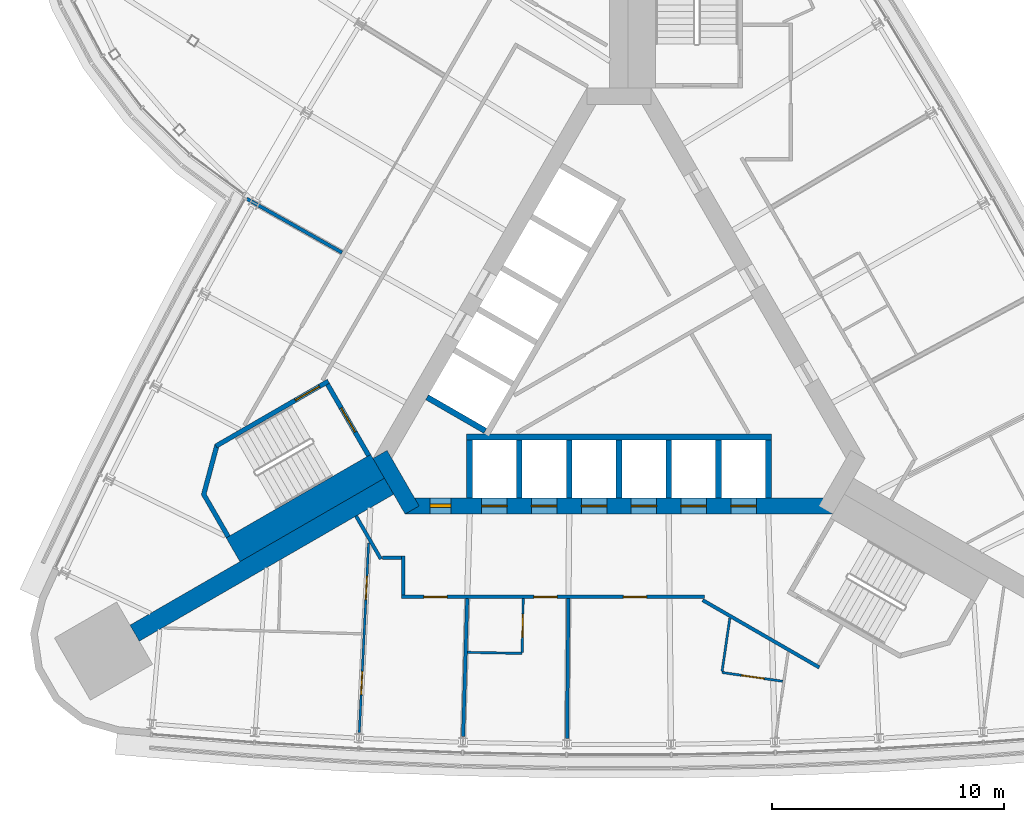
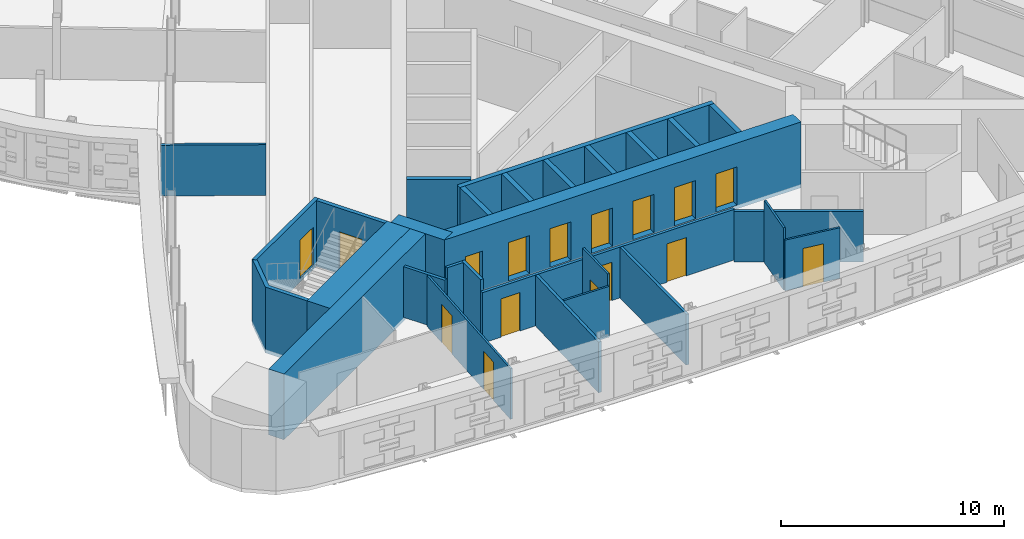
# One storey, part 11 of 17: 29 walls, 16 doors, 16 openings.
"""IFC4 building model written with IfcOpenShell, lengths in metres."""

from ifc_helpers import new_model, si_unit, direction, frame, frame_2d, origin, place, context, subcontext, project, spatial, polyline, rectangle, outline, extrude, material, layer, layer_set, type_object, element, fill, save


model = new_model("IFC4")

# Units and contexts
model_context = context("Model", 3, precision=1e-05, world=origin(), true_north=direction((0.0, 1.0)))
body_context = subcontext(model_context, "Body", "Model", "MODEL_VIEW")
ifc_project = project(units=[si_unit("LENGTHUNIT", "METRE"), si_unit("AREAUNIT", "SQUARE_METRE"), si_unit("VOLUMEUNIT", "CUBIC_METRE"), si_unit("PLANEANGLEUNIT", "RADIAN"), si_unit("MASSUNIT", "GRAM", prefix="KILO")], contexts=[model_context])

# Site, building, storey
site_placement = place(None, origin())
site = spatial("IfcSite", under=ifc_project, at=site_placement, CompositionType="ELEMENT")
building_placement = place(site_placement, origin())
building = spatial("IfcBuilding", under=site, at=building_placement, Name="Noor Cloister Tower", CompositionType="ELEMENT")
storey_placement = place(building_placement, frame((0.0, 0.0, 95.10009765625)))
storey = spatial("IfcBuildingStorey", under=building, at=storey_placement, Name="L24", CompositionType="ELEMENT", Elevation=95.10009765625)

# Wall
ifc_material_1 = material(Name="Concrete C80/95", Category="concrete")
ifc_layer_1 = layer(ifc_material_1, 0.800048828125)
ifc_layer_set_1 = layer_set([ifc_layer_1], Name="Buttress wall 800 C80/95")
wall_type_1 = type_object("IfcWallType", Name="Buttress wall 800 C80/95", PredefinedType="SHEAR", material=ifc_layer_set_1)
wall_1_placement = place(storey_placement, frame((-9.921630859375, -5.728271484375, -0.2001953125), z_axis=(0.0, 0.0, 1.0), x_axis=(-0.866029086277, -0.499993621681, 0.0)))
element("IfcWall", 1, at=wall_1_placement, inside=storey, type_object=wall_type_1, Name="Buttress wall SW L24", PredefinedType="SHEAR", context=body_context, shape_type="SweptSolid", body=[
    extrude(rectangle(XDim=12.677490234375, YDim=0.800048828125, at=frame_2d((6.3388671875, 0.0))), origin(), (0.0, 0.0, 1.0), 3.60009765625),
])

# Wall, openings, doors
ifc_material_2 = material(Name="Concrete C80/95", Category="concrete")
ifc_layer_2 = layer(ifc_material_2, 0.699951171875)
ifc_layer_set_2 = layer_set([ifc_layer_2], Name="Core wall 700 C80/95")
wall_type_2 = type_object("IfcWallType", Name="Core wall 700 C80/95", PredefinedType="SHEAR", material=ifc_layer_set_2)
wall_2_placement = place(storey_placement, frame((-9.228759765625, -6.578125, -0.2001953125), z_axis=(0.0, 0.0, 1.0), x_axis=(1.0, 0.0, 0.0)))
wall_2 = element("IfcWall", 2, at=wall_2_placement, inside=storey, type_object=wall_type_2, Name="Core wall L24 1", PredefinedType="SHEAR", context=body_context, shape_type="SweptSolid", body=[
    extrude(rectangle(XDim=18.45751953125, YDim=0.699951171875, at=frame_2d((9.228759765625, 0.0))), origin(), (0.0, 0.0, 1.0), 3.60009765625),
])
opening_1_placement = place(wall_2_placement, frame((3.3037109375, 0.0, 0.199951171875)))
opening_1 = element("IfcOpeningElement", 3, at=opening_1_placement, cuts=wall_2, Name="Opening L24-LR1", PredefinedType="OPENING", context=body_context, shape_type="SweptSolid", body=[
    extrude(rectangle(XDim=1.10009765625, YDim=2.10009765625, at=frame_2d((0.550048828125, 1.050048828125))), frame((0.0, 0.35986328125, 0.0), z_axis=(0.0, -1.0, 0.0), x_axis=(1.0, 0.0, 0.0)), (0.0, 0.0, 1.0), 0.719970703125),
])
opening_2_placement = place(wall_2_placement, frame((5.45361328125, 0.0, 0.199951171875)))
opening_2 = element("IfcOpeningElement", 4, at=opening_2_placement, cuts=wall_2, Name="Opening L24-LR2", PredefinedType="OPENING", context=body_context, shape_type="SweptSolid", body=[
    extrude(rectangle(XDim=1.10009765625, YDim=2.10009765625, at=frame_2d((0.550048828125, 1.050048828125))), frame((0.0, 0.35986328125, 0.0), z_axis=(0.0, -1.0, 0.0), x_axis=(1.0, 0.0, 0.0)), (0.0, 0.0, 1.0), 0.719970703125),
])
opening_3_placement = place(wall_2_placement, frame((7.603759765625, 0.0, 0.199951171875)))
opening_3 = element("IfcOpeningElement", 5, at=opening_3_placement, cuts=wall_2, Name="Opening L24-LR3", PredefinedType="OPENING", context=body_context, shape_type="SweptSolid", body=[
    extrude(rectangle(XDim=1.10009765625, YDim=2.10009765625, at=frame_2d((0.550048828125, 1.050048828125))), frame((0.0, 0.35986328125, 0.0), z_axis=(0.0, -1.0, 0.0), x_axis=(1.0, 0.0, 0.0)), (0.0, 0.0, 1.0), 0.719970703125),
])
opening_4_placement = place(wall_2_placement, frame((9.753662109375, 0.0, 0.199951171875)))
opening_4 = element("IfcOpeningElement", 6, at=opening_4_placement, cuts=wall_2, Name="Opening L24-LR4", PredefinedType="OPENING", context=body_context, shape_type="SweptSolid", body=[
    extrude(rectangle(XDim=1.10009765625, YDim=2.10009765625, at=frame_2d((0.550048828125, 1.050048828125))), frame((0.0, 0.35986328125, 0.0), z_axis=(0.0, -1.0, 0.0), x_axis=(1.0, 0.0, 0.0)), (0.0, 0.0, 1.0), 0.719970703125),
])
opening_5_placement = place(wall_2_placement, frame((11.90380859375, 0.0, 0.199951171875)))
opening_5 = element("IfcOpeningElement", 7, at=opening_5_placement, cuts=wall_2, Name="Opening L24-LR5", PredefinedType="OPENING", context=body_context, shape_type="SweptSolid", body=[
    extrude(rectangle(XDim=1.10009765625, YDim=2.10009765625, at=frame_2d((0.550048828125, 1.050048828125))), frame((0.0, 0.35986328125, 0.0), z_axis=(0.0, -1.0, 0.0), x_axis=(1.0, 0.0, 0.0)), (0.0, 0.0, 1.0), 0.719970703125),
])
opening_6_placement = place(wall_2_placement, frame((14.0537109375, 0.0, 0.199951171875)))
opening_6 = element("IfcOpeningElement", 8, at=opening_6_placement, cuts=wall_2, Name="Opening L24-LR6", PredefinedType="OPENING", context=body_context, shape_type="SweptSolid", body=[
    extrude(rectangle(XDim=1.10009765625, YDim=2.10009765625, at=frame_2d((0.550048828125, 1.050048828125))), frame((0.0, 0.35986328125, 0.0), z_axis=(0.0, -1.0, 0.0), x_axis=(1.0, 0.0, 0.0)), (0.0, 0.0, 1.0), 0.719970703125),
])
opening_7_placement = place(wall_2_placement, frame((1.078857421875, 0.0, 0.199951171875)))
opening_7 = element("IfcOpeningElement", 9, at=opening_7_placement, cuts=wall_2, Name="Opening L24-905", PredefinedType="OPENING", context=body_context, shape_type="SweptSolid", body=[
    extrude(rectangle(XDim=0.89990234375, YDim=2.10009765625, at=frame_2d((0.449951171875, 1.050048828125))), frame((0.0, 0.35986328125, 0.0), z_axis=(0.0, -1.0, 0.0), x_axis=(1.0, 0.0, 0.0)), (0.0, 0.0, 1.0), 0.719970703125),
])
ifc_material_3 = material(Name="Steel", Category="steel")
door_type_1 = type_object("IfcDoorType", Name="Core door 900 x 2100 FD120", OperationType="SINGLE_SWING_LEFT", PredefinedType="DOOR", material=ifc_material_3)
door_1_placement = place(opening_7_placement, origin())
door_1 = element("IfcDoor", 10, at=door_1_placement, inside=storey, type_object=door_type_1, Name="Core door 5 L24", OperationType="SINGLE_SWING_LEFT", OverallHeight=2.10009765625, OverallWidth=0.89990234375, PredefinedType="DOOR", context=body_context, shape_type="SweptSolid", body=[
    extrude(rectangle(XDim=0.89990234375, YDim=2.10009765625, at=frame_2d((0.449951171875, 1.050048828125))), frame((0.0, 0.074951171875, 0.0), z_axis=(0.0, -1.0, 0.0), x_axis=(1.0, 0.0, 0.0)), (0.0, 0.0, 1.0), 0.14990234375),
])
fill(opening_7, door_1)
ifc_material_4 = material(Name="Stainless steel", Category="steel")
door_type_2 = type_object("IfcDoorType", Name="Lift landing door 1100 x 2100", OperationType="DOUBLE_DOOR_SLIDING", PredefinedType="DOOR", material=ifc_material_4)
door_2_placement = place(opening_1_placement, origin())
door_2 = element("IfcDoor", 11, at=door_2_placement, inside=storey, type_object=door_type_2, Name="Landing door LR1 L24", OperationType="DOUBLE_DOOR_SLIDING", OverallHeight=2.10009765625, OverallWidth=1.10009765625, PredefinedType="DOOR", context=body_context, shape_type="SweptSolid", body=[
    extrude(rectangle(XDim=1.10009765625, YDim=2.10009765625, at=frame_2d((0.550048828125, 1.050048828125))), frame((0.0, 0.02490234375, 0.0), z_axis=(0.0, -1.0, 0.0), x_axis=(1.0, 0.0, 0.0)), (0.0, 0.0, 1.0), 0.050048828125),
])
fill(opening_1, door_2)
door_3_placement = place(opening_2_placement, origin())
door_3 = element("IfcDoor", 12, at=door_3_placement, inside=storey, type_object=door_type_2, Name="Landing door LR2 L24", OperationType="DOUBLE_DOOR_SLIDING", OverallHeight=2.10009765625, OverallWidth=1.10009765625, PredefinedType="DOOR", context=body_context, shape_type="SweptSolid", body=[
    extrude(rectangle(XDim=1.10009765625, YDim=2.10009765625, at=frame_2d((0.550048828125, 1.050048828125))), frame((0.0, 0.02490234375, 0.0), z_axis=(0.0, -1.0, 0.0), x_axis=(1.0, 0.0, 0.0)), (0.0, 0.0, 1.0), 0.050048828125),
])
fill(opening_2, door_3)
door_4_placement = place(opening_3_placement, origin())
door_4 = element("IfcDoor", 13, at=door_4_placement, inside=storey, type_object=door_type_2, Name="Landing door LR3 L24", OperationType="DOUBLE_DOOR_SLIDING", OverallHeight=2.10009765625, OverallWidth=1.10009765625, PredefinedType="DOOR", context=body_context, shape_type="SweptSolid", body=[
    extrude(rectangle(XDim=1.10009765625, YDim=2.10009765625, at=frame_2d((0.550048828125, 1.050048828125))), frame((0.0, 0.02490234375, 0.0), z_axis=(0.0, -1.0, 0.0), x_axis=(1.0, 0.0, 0.0)), (0.0, 0.0, 1.0), 0.050048828125),
])
fill(opening_3, door_4)
door_5_placement = place(opening_4_placement, origin())
door_5 = element("IfcDoor", 14, at=door_5_placement, inside=storey, type_object=door_type_2, Name="Landing door LR4 L24", OperationType="DOUBLE_DOOR_SLIDING", OverallHeight=2.10009765625, OverallWidth=1.10009765625, PredefinedType="DOOR", context=body_context, shape_type="SweptSolid", body=[
    extrude(rectangle(XDim=1.10009765625, YDim=2.10009765625, at=frame_2d((0.550048828125, 1.050048828125))), frame((0.0, 0.02490234375, 0.0), z_axis=(0.0, -1.0, 0.0), x_axis=(1.0, 0.0, 0.0)), (0.0, 0.0, 1.0), 0.050048828125),
])
fill(opening_4, door_5)
door_6_placement = place(opening_5_placement, origin())
door_6 = element("IfcDoor", 15, at=door_6_placement, inside=storey, type_object=door_type_2, Name="Landing door LR5 L24", OperationType="DOUBLE_DOOR_SLIDING", OverallHeight=2.10009765625, OverallWidth=1.10009765625, PredefinedType="DOOR", context=body_context, shape_type="SweptSolid", body=[
    extrude(rectangle(XDim=1.10009765625, YDim=2.10009765625, at=frame_2d((0.550048828125, 1.050048828125))), frame((0.0, 0.02490234375, 0.0), z_axis=(0.0, -1.0, 0.0), x_axis=(1.0, 0.0, 0.0)), (0.0, 0.0, 1.0), 0.050048828125),
])
fill(opening_5, door_6)
door_7_placement = place(opening_6_placement, origin())
door_7 = element("IfcDoor", 16, at=door_7_placement, inside=storey, type_object=door_type_2, Name="Landing door LR6 L24", OperationType="DOUBLE_DOOR_SLIDING", OverallHeight=2.10009765625, OverallWidth=1.10009765625, PredefinedType="DOOR", context=body_context, shape_type="SweptSolid", body=[
    extrude(rectangle(XDim=1.10009765625, YDim=2.10009765625, at=frame_2d((0.550048828125, 1.050048828125))), frame((0.0, 0.02490234375, 0.0), z_axis=(0.0, -1.0, 0.0), x_axis=(1.0, 0.0, 0.0)), (0.0, 0.0, 1.0), 0.050048828125),
])
fill(opening_6, door_7)

# Wall
wall_3_placement = place(storey_placement, frame((-10.311279296875, -4.353271484375, -0.2001953125), z_axis=(0.0, 0.0, 1.0), x_axis=(0.500042739161, -0.866000726912, 0.0)))
element("IfcWall", 17, at=wall_3_placement, inside=storey, type_object=wall_type_2, Name="Core wall L24 6", PredefinedType="SHEAR", context=body_context, shape_type="SweptSolid", body=[
    extrude(rectangle(XDim=2.771240234375, YDim=0.699951171875, at=frame_2d((1.3857421875, 0.0))), origin(), (0.0, 0.0, 1.0), 3.60009765625),
])

# Wall, openings, doors
ifc_material_5 = material(Name="Gypsum board partition on steel studs, 150 mm", Category="steel")
ifc_layer_3 = layer(ifc_material_5, 0.14990234375)
ifc_layer_set_3 = layer_set([ifc_layer_3], Name="Flat wall 150")
wall_type_3 = type_object("IfcWallType", Name="Flat wall 150", PredefinedType="PARTITIONING", material=ifc_layer_set_3)
wall_4_placement = place(storey_placement, frame((3.68896484375, -10.503173828125, 0.0), z_axis=(0.0, 0.0, 1.0), x_axis=(-1.0, 0.0, 0.0)))
wall_4 = element("IfcWall", 18, at=wall_4_placement, inside=storey, type_object=wall_type_3, Name="Flat wall 150 L24 004", PredefinedType="PARTITIONING", context=body_context, shape_type="SweptSolid", body=[
    extrude(rectangle(XDim=13.067626953125, YDim=0.14990234375, at=frame_2d((6.53369140625, 0.0))), origin(), (0.0, 0.0, 1.0), 2.77783203125),
])
opening_8_placement = place(wall_4_placement, frame((11.1064453125, 0.0, 0.0)))
opening_8 = element("IfcOpeningElement", 19, at=opening_8_placement, cuts=wall_4, Name="Opening L24-008", PredefinedType="OPENING", context=body_context, shape_type="SweptSolid", body=[
    extrude(rectangle(XDim=1.0, YDim=2.10009765625, at=frame_2d((0.5, 1.050048828125))), frame((0.0, 0.0849609375, 0.0), z_axis=(0.0, -1.0, 0.0), x_axis=(1.0, 0.0, 0.0)), (0.0, 0.0, 1.0), 0.169921875),
])
opening_9_placement = place(wall_4_placement, frame((6.359130859375, 0.0, 0.0)))
opening_9 = element("IfcOpeningElement", 20, at=opening_9_placement, cuts=wall_4, Name="Opening L24-009", PredefinedType="OPENING", context=body_context, shape_type="SweptSolid", body=[
    extrude(rectangle(XDim=1.0, YDim=2.10009765625, at=frame_2d((0.5, 1.050048828125))), frame((0.0, 0.0849609375, 0.0), z_axis=(0.0, -1.0, 0.0), x_axis=(1.0, 0.0, 0.0)), (0.0, 0.0, 1.0), 0.169921875),
])
opening_10_placement = place(wall_4_placement, frame((2.500732421875, 0.0, 0.0)))
opening_10 = element("IfcOpeningElement", 21, at=opening_10_placement, cuts=wall_4, Name="Opening L24-010", PredefinedType="OPENING", context=body_context, shape_type="SweptSolid", body=[
    extrude(rectangle(XDim=1.0, YDim=2.10009765625, at=frame_2d((0.5, 1.050048828125))), frame((0.0, 0.0849609375, 0.0), z_axis=(0.0, -1.0, 0.0), x_axis=(1.0, 0.0, 0.0)), (0.0, 0.0, 1.0), 0.169921875),
])
ifc_material_6 = material(Name="Timber door leaf with steel frame", Category="steel")
door_type_3 = type_object("IfcDoorType", Name="Flat entrance door 1000 FD60S", OperationType="NOTDEFINED", PredefinedType="DOOR", material=ifc_material_6)
door_8_placement = place(opening_8_placement, origin())
door_8 = element("IfcDoor", 22, at=door_8_placement, inside=storey, type_object=door_type_3, Name="Flat entrance door 1000 L24-008", OperationType="SINGLE_SWING_RIGHT", OverallHeight=2.10009765625, OverallWidth=1.0, PredefinedType="DOOR", context=body_context, shape_type="SweptSolid", body=[
    extrude(rectangle(XDim=1.0, YDim=2.10009765625, at=frame_2d((0.5, 1.050048828125))), frame((0.0, 0.02490234375, 0.0), z_axis=(0.0, -1.0, 0.0), x_axis=(1.0, 0.0, 0.0)), (0.0, 0.0, 1.0), 0.050048828125),
])
fill(opening_8, door_8)
door_9_placement = place(opening_9_placement, origin())
door_9 = element("IfcDoor", 23, at=door_9_placement, inside=storey, type_object=door_type_3, Name="Flat entrance door 1000 L24-009", OperationType="SINGLE_SWING_RIGHT", OverallHeight=2.10009765625, OverallWidth=1.0, PredefinedType="DOOR", context=body_context, shape_type="SweptSolid", body=[
    extrude(rectangle(XDim=1.0, YDim=2.10009765625, at=frame_2d((0.5, 1.050048828125))), frame((0.0, 0.02490234375, 0.0), z_axis=(0.0, -1.0, 0.0), x_axis=(1.0, 0.0, 0.0)), (0.0, 0.0, 1.0), 0.050048828125),
])
fill(opening_9, door_9)
door_10_placement = place(opening_10_placement, origin())
door_10 = element("IfcDoor", 24, at=door_10_placement, inside=storey, type_object=door_type_3, Name="Flat entrance door 1000 L24-010", OperationType="SINGLE_SWING_LEFT", OverallHeight=2.10009765625, OverallWidth=1.0, PredefinedType="DOOR", context=body_context, shape_type="SweptSolid", body=[
    extrude(rectangle(XDim=1.0, YDim=2.10009765625, at=frame_2d((0.5, 1.050048828125))), frame((0.0, 0.02490234375, 0.0), z_axis=(0.0, -1.0, 0.0), x_axis=(1.0, 0.0, 0.0)), (0.0, 0.0, 1.0), 0.050048828125),
])
fill(opening_10, door_10)

# Walls
wall_5_placement = place(storey_placement, frame((3.61328125, -10.643310546875, 0.0), z_axis=(0.0, 0.0, 1.0), x_axis=(0.866042728627, -0.499969991291, 0.0)))
element("IfcWall", 25, at=wall_5_placement, inside=storey, type_object=wall_type_3, Name="Flat wall 150 L24 005", PredefinedType="PARTITIONING", context=body_context, shape_type="SweptSolid", body=[
    extrude(rectangle(XDim=5.805419921875, YDim=0.14990234375, at=frame_2d((2.90283203125, 0.0))), origin(), (0.0, 0.0, 1.0), 2.77783203125),
])
wall_6_placement = place(storey_placement, frame((-11.34521484375, -7.01220703125, 0.0), z_axis=(0.0, 0.0, 1.0), x_axis=(0.499998569178, -0.866026229868, 0.0)))
element("IfcWall", 26, at=wall_6_placement, inside=storey, type_object=wall_type_3, Name="Flat wall 150 L24 011", PredefinedType="PARTITIONING", context=body_context, shape_type="SweptSolid", body=[
    extrude(rectangle(XDim=2.14306640625, YDim=0.14990234375, at=frame_2d((1.071533203125, 0.0))), origin(), (0.0, 0.0, 1.0), 2.77783203125),
])
wall_7_placement = place(storey_placement, frame((-9.3037109375, -10.42822265625, 0.0), z_axis=(0.0, 0.0, 1.0), x_axis=(0.0, 1.0, 0.0)))
element("IfcWall", 27, at=wall_7_placement, inside=storey, type_object=wall_type_3, Name="Flat wall 150 L24 014", PredefinedType="PARTITIONING", context=body_context, shape_type="SweptSolid", body=[
    extrude(rectangle(XDim=1.699951171875, YDim=0.14990234375, at=frame_2d((0.85009765625, 0.0))), origin(), (0.0, 0.0, 1.0), 3.39990234375),
])
wall_8_placement = place(storey_placement, frame((-10.208740234375, -8.80322265625, 0.0), z_axis=(0.0, 0.0, 1.0), x_axis=(1.0, 0.0, 0.0)))
element("IfcWall", 28, at=wall_8_placement, inside=storey, type_object=wall_type_3, Name="Flat wall 150 L24 015", PredefinedType="PARTITIONING", context=body_context, shape_type="SweptSolid", body=[
    extrude(rectangle(XDim=0.830078125, YDim=0.14990234375, at=frame_2d((0.4150390625, 0.0))), origin(), (0.0, 0.0, 1.0), 3.39990234375),
])
wall_9_placement = place(storey_placement, frame((-2.2421875, -16.616455078125, 0.0), z_axis=(0.0, 0.0, 1.0), x_axis=(0.009866078621, 0.999951329062, 0.0)))
element("IfcWall", 29, at=wall_9_placement, inside=storey, type_object=wall_type_3, Name="Flat wall 150 L24 019", PredefinedType="PARTITIONING", context=body_context, shape_type="SweptSolid", body=[
    extrude(rectangle(XDim=6.037841796875, YDim=0.14990234375, at=frame_2d((3.01904296875, 0.0))), origin(), (0.0, 0.0, 1.0), 2.77783203125),
])
wall_10_placement = place(storey_placement, frame((-6.725341796875, -16.5283203125, 0.0), z_axis=(0.0, 0.0, 1.0), x_axis=(0.029499121441, 0.99956480622, 0.0)))
element("IfcWall", 30, at=wall_10_placement, inside=storey, type_object=wall_type_3, Name="Flat wall 150 L24 020", PredefinedType="PARTITIONING", context=body_context, shape_type="SweptSolid", body=[
    extrude(rectangle(XDim=5.95068359375, YDim=0.14990234375, at=frame_2d((2.975341796875, 0.0))), origin(), (0.0, 0.0, 1.0), 2.77783203125),
])
wall_11_placement = place(storey_placement, frame((-16.068603515625, 6.680908203125, 0.0), z_axis=(0.0, 0.0, 1.0), x_axis=(0.87091272742, -0.49143770838, 0.0)))
element("IfcWall", 31, at=wall_11_placement, inside=storey, type_object=wall_type_3, Name="Flat wall 150 L24 021", PredefinedType="PARTITIONING", context=body_context, shape_type="SweptSolid", body=[
    extrude(rectangle(XDim=4.7275390625, YDim=0.14990234375, at=frame_2d((2.36376953125, 0.0))), origin(), (0.0, 0.0, 1.0), 2.77783203125),
])

# Wall, openings, doors
ifc_material_7 = material(Name="Gypsum board partition on steel studs, 100 mm", Category="steel")
ifc_layer_4 = layer(ifc_material_7, 0.10009765625)
ifc_layer_set_4 = layer_set([ifc_layer_4], Name="Partition 100")
wall_type_4 = type_object("IfcWallType", Name="Partition 100", PredefinedType="PARTITIONING", material=ifc_layer_set_4)
wall_12_placement = place(storey_placement, frame((-11.2060546875, -16.351806640625, 0.0), z_axis=(0.0, 0.0, 1.0), x_axis=(0.049170759729, 0.998790386612, 0.0)))
wall_12 = element("IfcWall", 32, at=wall_12_placement, inside=storey, type_object=wall_type_4, Name="Partition 100 L24 025", PredefinedType="PARTITIONING", context=body_context, shape_type="SweptSolid", body=[
    extrude(rectangle(XDim=8.177734375, YDim=0.10009765625, at=frame_2d((4.0888671875, 0.0))), origin(), (0.0, 0.0, 1.0), 2.77783203125),
])
opening_11_placement = place(wall_12_placement, frame((5.741943359375, 0.0, 0.0)))
opening_11 = element("IfcOpeningElement", 33, at=opening_11_placement, cuts=wall_12, Name="Opening L24-017", PredefinedType="OPENING", context=body_context, shape_type="SweptSolid", body=[
    extrude(rectangle(XDim=1.0, YDim=2.10009765625, at=frame_2d((0.5, 1.050048828125))), frame((0.0, 0.06005859375, 0.0), z_axis=(0.0, -1.0, 0.0), x_axis=(1.0, 0.0, 0.0)), (0.0, 0.0, 1.0), 0.1201171875),
])
opening_12_placement = place(wall_12_placement, frame((1.634521484375, 0.0, 0.0)))
opening_12 = element("IfcOpeningElement", 34, at=opening_12_placement, cuts=wall_12, Name="Opening L24-018", PredefinedType="OPENING", context=body_context, shape_type="SweptSolid", body=[
    extrude(rectangle(XDim=1.0, YDim=2.10009765625, at=frame_2d((0.5, 1.050048828125))), frame((0.0, 0.06005859375, 0.0), z_axis=(0.0, -1.0, 0.0), x_axis=(1.0, 0.0, 0.0)), (0.0, 0.0, 1.0), 0.1201171875),
])
ifc_material_8 = material(Name="Timber door leaf with steel frame", Category="steel")
door_type_4 = type_object("IfcDoorType", Name="Interior door 1000", OperationType="NOTDEFINED", PredefinedType="DOOR", material=ifc_material_8)
door_11_placement = place(opening_11_placement, origin())
door_11 = element("IfcDoor", 35, at=door_11_placement, inside=storey, type_object=door_type_4, Name="Interior door 1000 L24-017", OperationType="SINGLE_SWING_RIGHT", OverallHeight=2.10009765625, OverallWidth=1.0, PredefinedType="DOOR", context=body_context, shape_type="SweptSolid", body=[
    extrude(rectangle(XDim=1.0, YDim=2.10009765625, at=frame_2d((0.5, 1.050048828125))), frame((0.0, 0.02490234375, 0.0), z_axis=(0.0, -1.0, 0.0), x_axis=(1.0, 0.0, 0.0)), (0.0, 0.0, 1.0), 0.050048828125),
])
fill(opening_11, door_11)
door_12_placement = place(opening_12_placement, origin())
door_12 = element("IfcDoor", 36, at=door_12_placement, inside=storey, type_object=door_type_4, Name="Interior door 1000 L24-018", OperationType="SINGLE_SWING_LEFT", OverallHeight=2.10009765625, OverallWidth=1.0, PredefinedType="DOOR", context=body_context, shape_type="SweptSolid", body=[
    extrude(rectangle(XDim=1.0, YDim=2.10009765625, at=frame_2d((0.5, 1.050048828125))), frame((0.0, 0.02490234375, 0.0), z_axis=(0.0, -1.0, 0.0), x_axis=(1.0, 0.0, 0.0)), (0.0, 0.0, 1.0), 0.050048828125),
])
fill(opening_12, door_12)

# Wall, opening, door
wall_13_placement = place(storey_placement, frame((4.44287109375, -13.76220703125, 0.0), z_axis=(0.0, 0.0, 1.0), x_axis=(0.989603850573, -0.143820092239, 0.0)))
wall_13 = element("IfcWall", 37, at=wall_13_placement, inside=storey, type_object=wall_type_4, Name="Partition 100 L24 032", PredefinedType="PARTITIONING", context=body_context, shape_type="SweptSolid", body=[
    extrude(rectangle(XDim=2.64990234375, YDim=0.10009765625, at=frame_2d((1.324951171875, 0.0))), origin(), (0.0, 0.0, 1.0), 2.77783203125),
])
opening_13_placement = place(wall_13_placement, frame((0.85009765625, 0.0, 0.0)))
opening_13 = element("IfcOpeningElement", 38, at=opening_13_placement, cuts=wall_13, Name="Opening L24-022", PredefinedType="OPENING", context=body_context, shape_type="SweptSolid", body=[
    extrude(rectangle(XDim=1.0, YDim=2.10009765625, at=frame_2d((0.5, 1.050048828125))), frame((0.0, 0.06005859375, 0.0), z_axis=(0.0, -1.0, 0.0), x_axis=(1.0, 0.0, 0.0)), (0.0, 0.0, 1.0), 0.1201171875),
])
door_13_placement = place(opening_13_placement, origin())
door_13 = element("IfcDoor", 39, at=door_13_placement, inside=storey, type_object=door_type_4, Name="Interior door 1000 L24-022", OperationType="SINGLE_SWING_RIGHT", OverallHeight=2.10009765625, OverallWidth=1.0, PredefinedType="DOOR", context=body_context, shape_type="SweptSolid", body=[
    extrude(rectangle(XDim=1.0, YDim=2.10009765625, at=frame_2d((0.5, 1.050048828125))), frame((0.0, 0.02490234375, 0.0), z_axis=(0.0, -1.0, 0.0), x_axis=(1.0, 0.0, 0.0)), (0.0, 0.0, 1.0), 0.050048828125),
])
fill(opening_13, door_13)

# Walls
wall_14_placement = place(storey_placement, frame((4.782470703125, -11.42626953125, 0.0), z_axis=(0.0, 0.0, 1.0), x_axis=(-0.14392103122, -0.989589175756, 0.0)))
element("IfcWall", 40, at=wall_14_placement, inside=storey, type_object=wall_type_4, Name="Partition 100 L24 034", PredefinedType="PARTITIONING", context=body_context, shape_type="SweptSolid", body=[
    extrude(rectangle(XDim=2.310546875, YDim=0.10009765625, at=frame_2d((1.1552734375, 0.0))), origin(), (0.0, 0.0, 1.0), 3.39990234375),
])
wall_15_placement = place(storey_placement, frame((-6.54248046875, -12.894287109375, 0.0), z_axis=(0.0, 0.0, 1.0), x_axis=(0.999805392652, -0.019727565082, 0.0)))
element("IfcWall", 41, at=wall_15_placement, inside=storey, type_object=wall_type_4, Name="Partition 100 L24 035", PredefinedType="PARTITIONING", context=body_context, shape_type="SweptSolid", body=[
    extrude(rectangle(XDim=2.36376953125, YDim=0.10009765625, at=frame_2d((1.181884765625, 0.0))), origin(), (0.0, 0.0, 1.0), 2.77783203125),
])

# Wall, opening, door
wall_16_placement = place(storey_placement, frame((-4.17822265625, -12.890869140625, 0.0), z_axis=(0.0, 0.0, 1.0), x_axis=(0.019639257197, 0.999807131189, 0.0)))
wall_16 = element("IfcWall", 42, at=wall_16_placement, inside=storey, type_object=wall_type_4, Name="Partition 100 L24 036", PredefinedType="PARTITIONING", context=body_context, shape_type="SweptSolid", body=[
    extrude(rectangle(XDim=2.312255859375, YDim=0.10009765625, at=frame_2d((1.15625, 0.0))), origin(), (0.0, 0.0, 1.0), 3.39990234375),
])
opening_14_placement = place(wall_16_placement, frame((0.64990234375, 0.0, 0.0)))
opening_14 = element("IfcOpeningElement", 43, at=opening_14_placement, cuts=wall_16, Name="Opening L24-024", PredefinedType="OPENING", context=body_context, shape_type="SweptSolid", body=[
    extrude(rectangle(XDim=1.0, YDim=2.10009765625, at=frame_2d((0.5, 1.050048828125))), frame((0.0, 0.06005859375, 0.0), z_axis=(0.0, -1.0, 0.0), x_axis=(1.0, 0.0, 0.0)), (0.0, 0.0, 1.0), 0.1201171875),
])
door_14_placement = place(opening_14_placement, origin())
door_14 = element("IfcDoor", 44, at=door_14_placement, inside=storey, type_object=door_type_4, Name="Interior door 1000 L24-024", OperationType="SINGLE_SWING_LEFT", OverallHeight=2.10009765625, OverallWidth=1.0, PredefinedType="DOOR", context=body_context, shape_type="SweptSolid", body=[
    extrude(rectangle(XDim=1.0, YDim=2.10009765625, at=frame_2d((0.5, 1.050048828125))), frame((0.0, 0.02490234375, 0.0), z_axis=(0.0, -1.0, 0.0), x_axis=(1.0, 0.0, 0.0)), (0.0, 0.0, 1.0), 0.050048828125),
])
fill(opening_14, door_14)

# Walls
ifc_material_9 = material(Name="Concrete C80/95", Category="concrete")
ifc_layer_5 = layer(ifc_material_9, 0.25)
ifc_layer_set_5 = layer_set([ifc_layer_5], Name="Shaft wall 250 C80/95")
wall_type_5 = type_object("IfcWallType", Name="Shaft wall 250 C80/95", PredefinedType="PARTITIONING", material=ifc_layer_set_5)
for number, where, z_axis, x_axis, name in (
    (45, (-6.449951171875, -6.228271484375, -0.2001953125), (0.0, 0.0, 1.0), (0.0, 1.0, 0.0), "Lift shaft wall L24 S 1"),
    (46, (-4.300048828125, -6.228271484375, -0.2001953125), (0.0, 0.0, 1.0), (0.0, 1.0, 0.0), "Lift shaft wall L24 S 2"),
    (47, (-2.14990234375, -6.228271484375, -0.2001953125), (0.0, 0.0, 1.0), (0.0, 1.0, 0.0), "Lift shaft wall L24 S 3"),
    (48, (0.0, -6.228271484375, -0.2001953125), (0.0, 0.0, 1.0), (0.0, 1.0, 0.0), "Lift shaft wall L24 S 4"),
    (49, (2.14990234375, -6.228271484375, -0.2001953125), (0.0, 0.0, 1.0), (0.0, 1.0, 0.0), "Lift shaft wall L24 S 5"),
    (50, (4.300048828125, -6.228271484375, -0.2001953125), (0.0, 0.0, 1.0), (0.0, 1.0, 0.0), "Lift shaft wall L24 S 6"),
    (51, (6.449951171875, -6.228271484375, -0.2001953125), (0.0, 0.0, 1.0), (0.0, 1.0, 0.0), "Lift shaft wall L24 S 7"),
):
    element("IfcWall", number, at=place(storey_placement, frame(where, z_axis=z_axis, x_axis=x_axis)), inside=storey, type_object=wall_type_5, Name=name, PredefinedType="PARTITIONING", context=body_context, shape_type="SweptSolid", body=[
        extrude(rectangle(XDim=2.5, YDim=0.25, at=frame_2d((1.25, 0.0))), origin(), (0.0, 0.0, 1.0), 3.60009765625),
    ])
wall_17_placement = place(storey_placement, frame((-6.574951171875, -3.603271484375, 0.0), z_axis=(0.0, 0.0, 1.0), x_axis=(1.0, 0.0, 0.0)))
element("IfcWall", 52, at=wall_17_placement, inside=storey, type_object=wall_type_5, Name="Lift shaft back wall L24 S", PredefinedType="PARTITIONING", context=body_context, shape_type="SweptSolid", body=[
    extrude(rectangle(XDim=13.14990234375, YDim=0.25, at=frame_2d((6.574951171875, 0.0))), origin(), (0.0, 0.0, 1.0), 3.39990234375),
])
wall_18_placement = place(storey_placement, frame((-8.28125, -1.88720703125, -0.2001953125), z_axis=(0.0, 0.0, 1.0), x_axis=(0.866032775405, -0.499987231761, 0.0)))
element("IfcWall", 53, at=wall_18_placement, inside=storey, type_object=wall_type_5, Name="Lift shaft wall L24 NW 6", PredefinedType="PARTITIONING", context=body_context, shape_type="SweptSolid", body=[
    extrude(rectangle(XDim=2.89990234375, YDim=0.25, at=frame_2d((1.449951171875, 0.0))), origin(), (0.0, 0.0, 1.0), 3.60009765625),
])
ifc_material_10 = material(Name="Concrete C80/95", Category="concrete")
ifc_layer_6 = layer(ifc_material_10, 1.18603515625)
ifc_layer_set_6 = layer_set([ifc_layer_6], Name="Stair enclosure wall 1186 C80/95")
wall_type_6 = type_object("IfcWallType", Name="Stair enclosure wall 1186 C80/95", PredefinedType="SHEAR", material=ifc_layer_set_6)
wall_19_placement = place(storey_placement, frame((-10.41796875, -4.868408203125, -0.2001953125), z_axis=(0.0, 0.0, 1.0), x_axis=(-0.866018442252, -0.500012057535, 0.0)))
element("IfcWall", 54, at=wall_19_placement, inside=storey, type_object=wall_type_6, Name="Stair enclosure wall ST2 L24 riser side", PredefinedType="SHEAR", context=body_context, shape_type="SweptSolid", body=[
    extrude(rectangle(XDim=7.199951171875, YDim=1.185546875, at=frame_2d((3.60009765625, 0.0))), origin(), (0.0, 0.0, 1.0), 3.60009765625),
])

# Wall, opening, door
ifc_material_11 = material(Name="Concrete C80/95", Category="concrete")
ifc_layer_7 = layer(ifc_material_11, 0.199951171875)
ifc_layer_set_7 = layer_set([ifc_layer_7], Name="Stair enclosure wall 200 C80/95")
wall_type_7 = type_object("IfcWallType", Name="Stair enclosure wall 200 C80/95", PredefinedType="SHEAR", material=ifc_layer_set_7)
wall_20_placement = place(storey_placement, frame((-12.575927734375, -1.33056640625, -0.2001953125), z_axis=(0.0, 0.0, 1.0), x_axis=(0.499970499736, -0.8660424351, 0.0)))
wall_20 = element("IfcWall", 55, at=wall_20_placement, inside=storey, type_object=wall_type_7, Name="Stair enclosure wall ST2 L24 near end", PredefinedType="SHEAR", context=body_context, shape_type="SweptSolid", body=[
    extrude(rectangle(XDim=3.550048828125, YDim=0.199951171875, at=frame_2d((1.77490234375, 0.0))), origin(), (0.0, 0.0, 1.0), 3.60009765625),
])
opening_15_placement = place(wall_20_placement, frame((1.175048828125, 0.0, 0.199951171875)))
opening_15 = element("IfcOpeningElement", 56, at=opening_15_placement, cuts=wall_20, Name="Opening L24-ST2L", PredefinedType="OPENING", context=body_context, shape_type="SweptSolid", body=[
    extrude(rectangle(XDim=1.199951171875, YDim=2.10009765625, at=frame_2d((0.60009765625, 1.050048828125))), frame((0.0, 0.10986328125, 0.0), z_axis=(0.0, -1.0, 0.0), x_axis=(1.0, 0.0, 0.0)), (0.0, 0.0, 1.0), 0.219970703125),
])
ifc_material_12 = material(Name="Steel", Category="steel")
door_type_5 = type_object("IfcDoorType", Name="Stair door 1200 x 2100 FD120", OperationType="SINGLE_SWING_LEFT", PredefinedType="DOOR", material=ifc_material_12)
door_15_placement = place(opening_15_placement, origin())
door_15 = element("IfcDoor", 57, at=door_15_placement, inside=storey, type_object=door_type_5, Name="Stair door ST2 L24", OperationType="SINGLE_SWING_RIGHT", OverallHeight=2.10009765625, OverallWidth=1.199951171875, PredefinedType="DOOR", context=body_context, shape_type="SweptSolid", body=[
    extrude(rectangle(XDim=1.199951171875, YDim=2.10009765625, at=frame_2d((0.60009765625, 1.050048828125))), frame((0.0, 0.02490234375, 0.0), z_axis=(0.0, -1.0, 0.0), x_axis=(1.0, 0.0, 0.0)), (0.0, 0.0, 1.0), 0.050048828125),
])
fill(opening_15, door_15)

wall_21_placement = place(storey_placement, frame((-12.539306640625, -1.194091796875, -0.2001953125), z_axis=(0.0, 0.0, 1.0), x_axis=(-0.866045472092, -0.499965239061, 0.0)))
wall_21 = element("IfcWall", 58, at=wall_21_placement, inside=storey, type_object=wall_type_7, Name="Stair enclosure wall ST2 L24 outer side", PredefinedType="SHEAR", context=body_context, shape_type="SweptSolid", body=[
    extrude(rectangle(XDim=5.60009765625, YDim=0.199951171875, at=frame_2d((2.800048828125, 0.0))), origin(), (0.0, 0.0, 1.0), 3.60009765625),
])
opening_16_placement = place(wall_21_placement, frame((0.449951171875, 0.0, 0.199951171875)))
opening_16 = element("IfcOpeningElement", 59, at=opening_16_placement, cuts=wall_21, Name="Opening L24-ST2C", PredefinedType="OPENING", context=body_context, shape_type="SweptSolid", body=[
    extrude(rectangle(XDim=1.199951171875, YDim=2.10009765625, at=frame_2d((0.60009765625, 1.050048828125))), frame((0.0, 0.10986328125, 0.0), z_axis=(0.0, -1.0, 0.0), x_axis=(1.0, 0.0, 0.0)), (0.0, 0.0, 1.0), 0.219970703125),
])
door_16_placement = place(opening_16_placement, origin())
door_16 = element("IfcDoor", 60, at=door_16_placement, inside=storey, type_object=door_type_5, Name="Stair door ST2 L24", OperationType="SINGLE_SWING_LEFT", OverallHeight=2.10009765625, OverallWidth=1.199951171875, PredefinedType="DOOR", context=body_context, shape_type="SweptSolid", body=[
    extrude(rectangle(XDim=1.199951171875, YDim=2.10009765625, at=frame_2d((0.60009765625, 1.050048828125))), frame((0.0, 0.02490234375, 0.0), z_axis=(0.0, -1.0, 0.0), x_axis=(1.0, 0.0, 0.0)), (0.0, 0.0, 1.0), 0.050048828125),
])
fill(opening_16, door_16)

# Wall
ifc_material_13 = material(Name="Concrete C80/95", Category="concrete")
wall_type_8 = type_object("IfcWallType", Name="Stair far end wall C80/95", PredefinedType="SHEAR", material=ifc_material_13)
wall_22_placement = place(storey_placement, frame((0.0, 0.0, -0.2001953125)))
element("IfcWall", 61, at=wall_22_placement, inside=storey, type_object=wall_type_8, Name="Stair enclosure wall ST2 L24 far end", PredefinedType="SHEAR", context=body_context, shape_type="SweptSolid", body=[
    extrude(outline(polyline([(-17.439208984375, -3.907470703125), (-18.024658203125, -6.093017578125), (-16.94970703125, -7.955078125), (-16.776611328125, -7.85498046875), (-17.81005859375, -6.064697265625), (-17.267333984375, -4.039306640625), (-17.339111328125, -4.08056640625), (-17.339111328125, -4.08056640625), (-17.339111328125, -4.08056640625), (-17.339111328125, -4.08056640625), (-17.339111328125, -4.08056640625), (-17.339111328125, -4.08056640625), (-17.339111328125, -4.08056640625), (-17.339111328125, -4.08056640625), (-17.339111328125, -4.08056640625), (-17.339111328125, -4.08056640625), (-17.339111328125, -4.08056640625), (-17.339111328125, -4.08056640625), (-17.339111328125, -4.08056640625), (-17.339111328125, -4.08056640625), (-17.339111328125, -4.08056640625), (-17.339111328125, -4.08056640625), (-17.339111328125, -4.08056640625), (-17.439208984375, -3.907470703125)])), origin(), (0.0, 0.0, 1.0), 3.60009765625),
])

save(model, "model.ifc")
